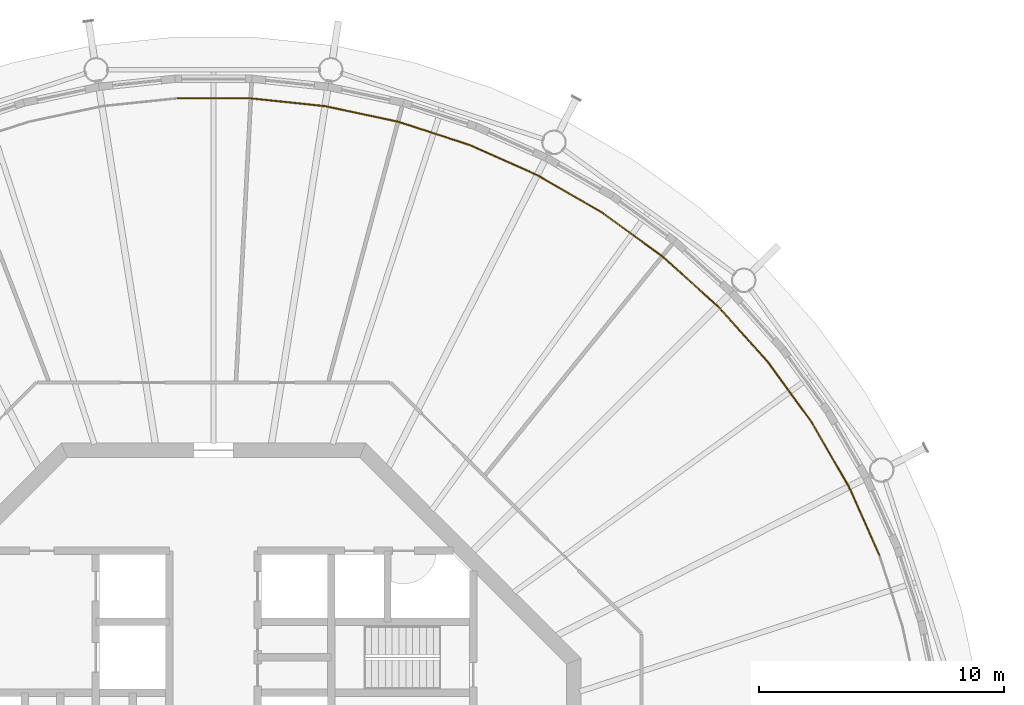
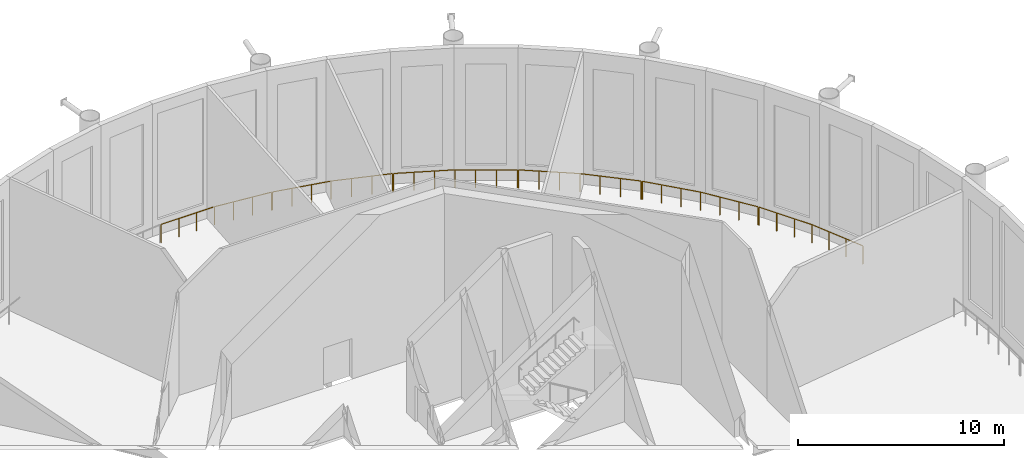
# One storey, part 17 of 17: 6 railings.
"""IFC4 building model written with IfcOpenShell, lengths in metres."""

import ifcopenshell
import ifcopenshell.guid

model = None  # the IFC model being written
_history = None  # IfcOwnerHistory: only IFC2X3 demands one
_inside = {}  # id of a spatial element -> (the spatial element, [elements in it])
_under = {}  # id of a project, library or spatial element -> (it, [spatial elements below it])
_declared = {}  # id of a project -> (the project, [libraries it declares])
_typed = {}  # id of a type object -> (the type object, [elements of that type])
_made_of = {}  # id of a material, layer set ... -> (it, [elements and type objects made of it])


def new_model(schema):
    """Start an empty IFC model of exactly this schema.

    Asked for "IFC4X3", IfcOpenShell would pick the latest addendum, in which some entities
    have other attributes; the version numbers below select the first issue.
    IFC2X3 requires an IfcOwnerHistory on every rooted entity: one is made here for all.
    """
    global model, _history
    if schema == "IFC4X3":
        model = ifcopenshell.file(schema_version=(4, 3, 0, 0))
    else:
        model = ifcopenshell.file(schema=schema)
    _inside.clear()
    _under.clear()
    _declared.clear()
    _typed.clear()
    _made_of.clear()
    _history = None
    if model.schema == "IFC2X3":
        org = make("IfcOrganization", Name="unknown")
        user = make(
            "IfcPersonAndOrganization",
            ThePerson=make("IfcPerson", FamilyName="unknown"),
            TheOrganization=org,
        )
        app = make(
            "IfcApplication",
            ApplicationDeveloper=org,
            Version="unknown",
            ApplicationFullName="unknown",
            ApplicationIdentifier="unknown",
        )
        _history = make(
            "IfcOwnerHistory",
            OwningUser=user,
            OwningApplication=app,
            ChangeAction="ADDED",
            CreationDate=0,
        )
    return model


def make(cls, **values):
    """One entity of the class cls with the attributes given. An attribute that is None is left unset."""
    return model.create_entity(
        cls, **{name: value for name, value in values.items() if value is not None}
    )


def rooted(cls, **values):
    """An entity with a GlobalId (a new one), such as an element, a storey or a relation."""
    return make(cls, GlobalId=ifcopenshell.guid.new(), OwnerHistory=_history, **values)


def si_unit(unit_type, name, prefix=None):
    """IfcSIUnit, for example si_unit("LENGTHUNIT", "METRE", prefix="MILLI")."""
    return make("IfcSIUnit", UnitType=unit_type, Prefix=prefix, Name=name)


def assignment(units):
    """IfcUnitAssignment: the units of a project."""
    return None if units is None else make("IfcUnitAssignment", Units=units)


def point(xyz):
    """IfcCartesianPoint."""
    return None if xyz is None else make("IfcCartesianPoint", Coordinates=xyz)


def direction(xyz):
    """IfcDirection."""
    return None if xyz is None else make("IfcDirection", DirectionRatios=xyz)


def frame(location, z_axis=None, x_axis=None):
    """IfcAxis2Placement3D, a coordinate frame: its origin and axes. An axis left out is left unset."""
    return make(
        "IfcAxis2Placement3D",
        Location=point(location),
        Axis=direction(z_axis),
        RefDirection=direction(x_axis),
    )


def frame_2d(location, x_axis=None):
    """IfcAxis2Placement2D, a coordinate frame in the plane: its origin and x axis."""
    return make(
        "IfcAxis2Placement2D", Location=point(location), RefDirection=direction(x_axis)
    )


def origin():
    """The frame at (0, 0, 0) with its axes left unset."""
    return frame((0.0, 0.0, 0.0))


def origin_2d():
    """The frame at (0, 0) in the plane with its x axis left unset."""
    return frame_2d((0.0, 0.0))


def place(relative_to, where):
    """IfcLocalPlacement: puts the frame where relative to a parent placement (None: the world)."""
    return make(
        "IfcLocalPlacement", PlacementRelTo=relative_to, RelativePlacement=where
    )


def context(
    kind, dimensions, precision=None, world=None, true_north=None, identifier=None
):
    """IfcGeometricRepresentationContext, for example the 3D "Model" context."""
    return make(
        "IfcGeometricRepresentationContext",
        ContextIdentifier=identifier,
        ContextType=kind,
        CoordinateSpaceDimension=dimensions,
        Precision=precision,
        WorldCoordinateSystem=world,
        TrueNorth=true_north,
    )


def subcontext(parent, identifier, kind, view, scale=None):
    """IfcGeometricRepresentationSubContext, for example "Body" below "Model"."""
    return make(
        "IfcGeometricRepresentationSubContext",
        ContextIdentifier=identifier,
        ContextType=kind,
        ParentContext=parent,
        TargetScale=scale,
        TargetView=view,
    )


def project(units=None, contexts=None):
    """IfcProject with its units and contexts."""
    return rooted(
        "IfcProject",
        Name="project",
        RepresentationContexts=contexts,
        UnitsInContext=assignment(units),
    )


def spatial(cls, under=None, at=None, **own):
    """A site, building, storey or space (cls), placed at a placement, below another one or the project."""
    s = rooted(cls, ObjectPlacement=at, **own)
    if under is not None:
        _under.setdefault(under.id(), (under, []))[1].append(s)
    return s


def profile(cls, at=None, kind="AREA", **sizes):
    """A parametric profile (cls). Its sizes go by their IFC names, for example OverallWidth=200.0."""
    return make(cls, ProfileType=kind, Position=at, **sizes)


def circle(**sizes):
    """IfcCircleProfileDef."""
    return profile("IfcCircleProfileDef", **sizes)


def extrude(swept, where, along, depth):
    """IfcExtrudedAreaSolid: the profile swept, set in the frame where, extruded along a direction by depth."""
    return make(
        "IfcExtrudedAreaSolid",
        SweptArea=swept,
        Position=where,
        ExtrudedDirection=direction(along),
        Depth=depth,
    )


def shape(context_of_items, identifier, shape_type, items):
    """IfcShapeRepresentation: the items that make up one representation, for example the "Body"."""
    return make(
        "IfcShapeRepresentation",
        ContextOfItems=context_of_items,
        RepresentationIdentifier=identifier,
        RepresentationType=shape_type,
        Items=items,
    )


def material(Name=None, Category=None):
    """IfcMaterial."""
    return make("IfcMaterial", Name=Name, Category=Category)


def made_of(thing, what):
    """Note that an element or type object is made of a material, layer set ...; save() writes the relation."""
    if what is not None:
        _made_of.setdefault(what.id(), (what, []))[1].append(thing)
    return thing


def type_object(cls, material=None, **own):
    """A type object (cls), such as IfcWallType, which elements share."""
    return made_of(rooted(cls, **own), material)


def element(
    cls,
    number,
    at=None,
    inside=None,
    cuts=None,
    type_object=None,
    material=None,
    context=None,
    identifier="Body",
    shape_type=None,
    held_by="IfcProductDefinitionShape",
    body=None,
    shapes=None,
    **own,
):
    """One element of the class cls, such as IfcWall. Its Tag is "e" and its number.

    at: its placement. inside: the storey or other place that contains it. cuts: it is an
    opening in that element (IfcRelVoidsElement). A single representation is given by context,
    identifier, shape_type and body (its items); several are given by shapes. held_by: the class
    of the entity that holds the representations. save() writes the other relations.
    """
    e = rooted(cls, Tag="e%d" % number, ObjectPlacement=at, **own)
    if body is not None:
        shapes = [shape(context, identifier, shape_type, body)]
    if shapes is not None:
        e.Representation = make(held_by, Representations=shapes)
    if inside is not None:
        _inside.setdefault(inside.id(), (inside, []))[1].append(e)
    if cuts is not None:
        rooted(
            "IfcRelVoidsElement", RelatingBuildingElement=cuts, RelatedOpeningElement=e
        )
    if type_object is not None:
        _typed.setdefault(type_object.id(), (type_object, []))[1].append(e)
    return made_of(e, material)


def aggregate(whole, parts):
    """IfcRelAggregates: a whole, such as a stair, and the parts it consists of."""
    return rooted("IfcRelAggregates", RelatingObject=whole, RelatedObjects=parts)


def save(model, path):
    """Write the relations noted so far, then the file.

    IfcRelAggregates (storeys below a building ...), IfcRelContainedInSpatialStructure (elements
    in a storey), IfcRelDefinesByType, IfcRelAssociatesMaterial and IfcRelDeclares: one each for
    every whole, place, type object, material and project.
    """
    for whole, parts in _under.values():
        aggregate(whole, parts)
    for where, things in _inside.values():
        rooted(
            "IfcRelContainedInSpatialStructure",
            RelatedElements=things,
            RelatingStructure=where,
        )
    for kind, things in _typed.values():
        rooted("IfcRelDefinesByType", RelatedObjects=things, RelatingType=kind)
    for what, things in _made_of.values():
        rooted("IfcRelAssociatesMaterial", RelatedObjects=things, RelatingMaterial=what)
    for by, libraries in _declared.values():
        rooted("IfcRelDeclares", RelatingContext=by, RelatedDefinitions=libraries)
    model.write(path)


model = new_model("IFC4")

# Units and contexts
model_context = context("Model", 3, precision=1e-05, world=origin(), true_north=direction((0.0, 1.0)))
body_context = subcontext(model_context, "Body", "Model", "MODEL_VIEW")
ifc_project = project(units=[si_unit("LENGTHUNIT", "METRE"), si_unit("AREAUNIT", "SQUARE_METRE"), si_unit("VOLUMEUNIT", "CUBIC_METRE"), si_unit("PLANEANGLEUNIT", "RADIAN"), si_unit("MASSUNIT", "GRAM", prefix="KILO")], contexts=[model_context])

# Site, building, storey
site_placement = place(None, origin())
site = spatial("IfcSite", under=ifc_project, at=site_placement, CompositionType="ELEMENT")
building_placement = place(site_placement, origin())
building = spatial("IfcBuilding", under=site, at=building_placement, Name="Entoto Ring Tower", CompositionType="ELEMENT")
storey_placement = place(building_placement, frame((0.0, 0.0, 407.0)))
storey = spatial("IfcBuildingStorey", under=building, at=storey_placement, Name="L93", CompositionType="ELEMENT", Elevation=407.0)

# Railings
ifc_material = material(Name="Stainless steel 316", Category="steel")
railing_type = type_object("IfcRailingType", Name="Guard 1100 mm steel balustrade, observation floor", PredefinedType="GUARDRAIL", material=ifc_material)
railing_1_placement = place(storey_placement, frame((117.167236328125, 90.428466796875, 0.0)))
element("IfcRailing", 1, at=railing_1_placement, inside=storey, type_object=railing_type, Name="OBSERVATION FLOOR GUARD 2", PredefinedType="GUARDRAIL", context=body_context, shape_type="SweptSolid", body=[
    extrude(circle(Radius=0.02490234375, at=origin_2d()), frame((0.0, 0.0, 1.0751953125), z_axis=(-0.406755602467, 0.913537016142, 0.0), x_axis=(-0.913537016142, -0.406755602467, 0.0)), (0.0, 0.0, 1.0), 3.046142578125),
    extrude(circle(Radius=0.02490234375, at=origin_2d()), frame((-1.239013671875, 2.78271484375, 1.0751953125), z_axis=(-0.499981967963, 0.866035814336, 0.0), x_axis=(-0.866035814336, -0.499981967963, 0.0)), (0.0, 0.0, 1.0), 2.98583984375),
    extrude(circle(Radius=0.02490234375, at=origin_2d()), origin(), (0.0, 0.0, 1.0), 1.050048828125),
    extrude(circle(Radius=0.02490234375, at=origin_2d()), frame((-0.4130859375, 0.927490234375, 0.0)), (0.0, 0.0, 1.0), 1.050048828125),
    extrude(circle(Radius=0.02490234375, at=origin_2d()), frame((-0.825927734375, 1.855224609375, 0.0)), (0.0, 0.0, 1.0), 1.050048828125),
    extrude(circle(Radius=0.02490234375, at=origin_2d()), frame((-1.239013671875, 2.78271484375, 0.0)), (0.0, 0.0, 1.0), 1.050048828125),
    extrude(circle(Radius=0.02490234375, at=origin_2d()), frame((-1.736572265625, 3.644775390625, 0.0)), (0.0, 0.0, 1.0), 1.050048828125),
    extrude(circle(Radius=0.02490234375, at=origin_2d()), frame((-2.234375, 4.506591796875, 0.0)), (0.0, 0.0, 1.0), 1.050048828125),
    extrude(circle(Radius=0.02490234375, at=origin_2d()), frame((-2.73193359375, 5.36865234375, 0.0)), (0.0, 0.0, 1.0), 1.050048828125),
])
railing_2_placement = place(storey_placement, frame((114.4052734375, 95.848876953125, 0.0)))
element("IfcRailing", 2, at=railing_2_placement, inside=storey, type_object=railing_type, Name="OBSERVATION FLOOR GUARD 3", PredefinedType="GUARDRAIL", context=body_context, shape_type="SweptSolid", body=[
    extrude(circle(Radius=0.02490234375, at=origin_2d()), frame((0.0, 0.0, 1.0751953125), z_axis=(-0.587747466225, 0.809044446212, 0.0), x_axis=(-0.809044446212, -0.587747466225, 0.0)), (0.0, 0.0, 1.0), 3.0458984375),
    extrude(circle(Radius=0.02490234375, at=origin_2d()), frame((-1.790283203125, 2.46435546875, 1.0751953125), z_axis=(-0.669140885276, 0.74313557017, 0.0), x_axis=(-0.74313557017, -0.669140885276, 0.0)), (0.0, 0.0, 1.0), 2.986083984375),
    extrude(circle(Radius=0.02490234375, at=origin_2d()), origin(), (0.0, 0.0, 1.0), 1.050048828125),
    extrude(circle(Radius=0.02490234375, at=origin_2d()), frame((-0.5966796875, 0.821533203125, 0.0)), (0.0, 0.0, 1.0), 1.050048828125),
    extrude(circle(Radius=0.02490234375, at=origin_2d()), frame((-1.193603515625, 1.642822265625, 0.0)), (0.0, 0.0, 1.0), 1.050048828125),
    extrude(circle(Radius=0.02490234375, at=origin_2d()), frame((-1.790283203125, 2.46435546875, 0.0)), (0.0, 0.0, 1.0), 1.050048828125),
    extrude(circle(Radius=0.02490234375, at=origin_2d()), frame((-2.456298828125, 3.2041015625, 0.0)), (0.0, 0.0, 1.0), 1.050048828125),
    extrude(circle(Radius=0.02490234375, at=origin_2d()), frame((-3.122314453125, 3.943603515625, 0.0)), (0.0, 0.0, 1.0), 1.050048828125),
    extrude(circle(Radius=0.02490234375, at=origin_2d()), frame((-3.788330078125, 4.683349609375, 0.0)), (0.0, 0.0, 1.0), 1.050048828125),
])
railing_3_placement = place(storey_placement, frame((110.576904296875, 100.576904296875, 0.0)))
element("IfcRailing", 3, at=railing_3_placement, inside=storey, type_object=railing_type, Name="OBSERVATION FLOOR GUARD 4", PredefinedType="GUARDRAIL", context=body_context, shape_type="SweptSolid", body=[
    extrude(circle(Radius=0.02490234375, at=origin_2d()), frame((0.0, 0.0, 1.0751953125), z_axis=(-0.743166598537, 0.669106424135, 0.0), x_axis=(-0.669106424135, -0.743166598537, 0.0)), (0.0, 0.0, 1.0), 3.0458984375),
    extrude(circle(Radius=0.02490234375, at=origin_2d()), frame((-2.263671875, 2.0380859375, 1.0751953125), z_axis=(-0.809022371949, 0.587777850626, 0.0), x_axis=(-0.587777850626, -0.809022371949, 0.0)), (0.0, 0.0, 1.0), 2.986083984375),
    extrude(circle(Radius=0.02490234375, at=origin_2d()), origin(), (0.0, 0.0, 1.0), 1.050048828125),
    extrude(circle(Radius=0.02490234375, at=origin_2d()), frame((-0.754638671875, 0.679443359375, 0.0)), (0.0, 0.0, 1.0), 1.050048828125),
    extrude(circle(Radius=0.02490234375, at=origin_2d()), frame((-1.509033203125, 1.358642578125, 0.0)), (0.0, 0.0, 1.0), 1.050048828125),
    extrude(circle(Radius=0.02490234375, at=origin_2d()), frame((-2.263671875, 2.0380859375, 0.0)), (0.0, 0.0, 1.0), 1.050048828125),
    extrude(circle(Radius=0.02490234375, at=origin_2d()), frame((-3.06884765625, 2.623046875, 0.0)), (0.0, 0.0, 1.0), 1.050048828125),
    extrude(circle(Radius=0.02490234375, at=origin_2d()), frame((-3.874267578125, 3.208251953125, 0.0)), (0.0, 0.0, 1.0), 1.050048828125),
    extrude(circle(Radius=0.02490234375, at=origin_2d()), frame((-4.679443359375, 3.793212890625, 0.0)), (0.0, 0.0, 1.0), 1.050048828125),
])
railing_4_placement = place(storey_placement, frame((105.848876953125, 104.4052734375, 0.0)))
element("IfcRailing", 4, at=railing_4_placement, inside=storey, type_object=railing_type, Name="OBSERVATION FLOOR GUARD 5", PredefinedType="GUARDRAIL", context=body_context, shape_type="SweptSolid", body=[
    extrude(circle(Radius=0.02490234375, at=origin_2d()), frame((0.0, 0.0, 1.0751953125), z_axis=(-0.866014723935, 0.500018497585, 0.0), x_axis=(-0.500018497585, -0.866014723935, 0.0)), (0.0, 0.0, 1.0), 3.0458984375),
    extrude(circle(Radius=0.02490234375, at=origin_2d()), frame((-2.6376953125, 1.52294921875, 1.0751953125), z_axis=(-0.913531485068, 0.406768024542, 0.0), x_axis=(-0.406768024542, -0.913531485068, 0.0)), (0.0, 0.0, 1.0), 2.986083984375),
    extrude(circle(Radius=0.02490234375, at=origin_2d()), origin(), (0.0, 0.0, 1.0), 1.050048828125),
    extrude(circle(Radius=0.02490234375, at=origin_2d()), frame((-0.879150390625, 0.507568359375, 0.0)), (0.0, 0.0, 1.0), 1.050048828125),
    extrude(circle(Radius=0.02490234375, at=origin_2d()), frame((-1.758544921875, 1.015380859375, 0.0)), (0.0, 0.0, 1.0), 1.050048828125),
    extrude(circle(Radius=0.02490234375, at=origin_2d()), frame((-2.6376953125, 1.52294921875, 0.0)), (0.0, 0.0, 1.0), 1.050048828125),
    extrude(circle(Radius=0.02490234375, at=origin_2d()), frame((-3.546875, 1.927734375, 0.0)), (0.0, 0.0, 1.0), 1.050048828125),
    extrude(circle(Radius=0.02490234375, at=origin_2d()), frame((-4.456298828125, 2.332763671875, 0.0)), (0.0, 0.0, 1.0), 1.050048828125),
    extrude(circle(Radius=0.02490234375, at=origin_2d()), frame((-5.365478515625, 2.737548828125, 0.0)), (0.0, 0.0, 1.0), 1.050048828125),
])
railing_5_placement = place(storey_placement, frame((100.428466796875, 107.167236328125, 0.0)))
element("IfcRailing", 5, at=railing_5_placement, inside=storey, type_object=railing_type, Name="OBSERVATION FLOOR GUARD 6", PredefinedType="GUARDRAIL", context=body_context, shape_type="SweptSolid", body=[
    extrude(circle(Radius=0.02490234375, at=origin_2d()), frame((0.0, 0.0, 1.0751953125), z_axis=(-0.951060572715, 0.309004509719, 0.0), x_axis=(-0.309004509719, -0.951060572715, 0.0)), (0.0, 0.0, 1.0), 3.0458984375),
    extrude(circle(Radius=0.02490234375, at=origin_2d()), frame((-2.896728515625, 0.941162109375, 1.0751953125), z_axis=(-0.978148044734, 0.207909601952, 0.0), x_axis=(-0.207909601952, -0.978148044734, 0.0)), (0.0, 0.0, 1.0), 2.986083984375),
    extrude(circle(Radius=0.02490234375, at=origin_2d()), origin(), (0.0, 0.0, 1.0), 1.050048828125),
    extrude(circle(Radius=0.02490234375, at=origin_2d()), frame((-0.965576171875, 0.313720703125, 0.0)), (0.0, 0.0, 1.0), 1.050048828125),
    extrude(circle(Radius=0.02490234375, at=origin_2d()), frame((-1.93115234375, 0.62744140625, 0.0)), (0.0, 0.0, 1.0), 1.050048828125),
    extrude(circle(Radius=0.02490234375, at=origin_2d()), frame((-2.896728515625, 0.941162109375, 0.0)), (0.0, 0.0, 1.0), 1.050048828125),
    extrude(circle(Radius=0.02490234375, at=origin_2d()), frame((-3.870361328125, 1.148193359375, 0.0)), (0.0, 0.0, 1.0), 1.050048828125),
    extrude(circle(Radius=0.02490234375, at=origin_2d()), frame((-4.843994140625, 1.35498046875, 0.0)), (0.0, 0.0, 1.0), 1.050048828125),
    extrude(circle(Radius=0.02490234375, at=origin_2d()), frame((-5.817626953125, 1.56201171875, 0.0)), (0.0, 0.0, 1.0), 1.050048828125),
])
railing_6_placement = place(storey_placement, frame((94.55224609375, 108.74169921875, 0.0)))
element("IfcRailing", 6, at=railing_6_placement, inside=storey, type_object=railing_type, Name="OBSERVATION FLOOR GUARD 7", PredefinedType="GUARDRAIL", context=body_context, shape_type="SweptSolid", body=[
    extrude(circle(Radius=0.02490234375, at=origin_2d()), frame((0.0, 0.0, 1.0751953125), z_axis=(-0.994523006427, 0.104517891713, 0.0), x_axis=(-0.104517891713, -0.994523006427, 0.0)), (0.0, 0.0, 1.0), 3.0458984375),
    extrude(circle(Radius=0.02490234375, at=origin_2d()), frame((-3.029296875, 0.318359375, 1.0751953125), z_axis=(-1.0, 0.0, 0.0), x_axis=(0.0, -1.0, 0.0)), (0.0, 0.0, 1.0), 2.98583984375),
    extrude(circle(Radius=0.02490234375, at=origin_2d()), origin(), (0.0, 0.0, 1.0), 1.050048828125),
    extrude(circle(Radius=0.02490234375, at=origin_2d()), frame((-1.009765625, 0.106201171875, 0.0)), (0.0, 0.0, 1.0), 1.050048828125),
    extrude(circle(Radius=0.02490234375, at=origin_2d()), frame((-2.01953125, 0.212158203125, 0.0)), (0.0, 0.0, 1.0), 1.050048828125),
    extrude(circle(Radius=0.02490234375, at=origin_2d()), frame((-3.029296875, 0.318359375, 0.0)), (0.0, 0.0, 1.0), 1.050048828125),
    extrude(circle(Radius=0.02490234375, at=origin_2d()), frame((-4.024658203125, 0.318359375, 0.0)), (0.0, 0.0, 1.0), 1.050048828125),
    extrude(circle(Radius=0.02490234375, at=origin_2d()), frame((-5.019775390625, 0.318359375, 0.0)), (0.0, 0.0, 1.0), 1.050048828125),
    extrude(circle(Radius=0.02490234375, at=origin_2d()), frame((-6.01513671875, 0.318359375, 0.0)), (0.0, 0.0, 1.0), 1.050048828125),
])

save(model, "model.ifc")
